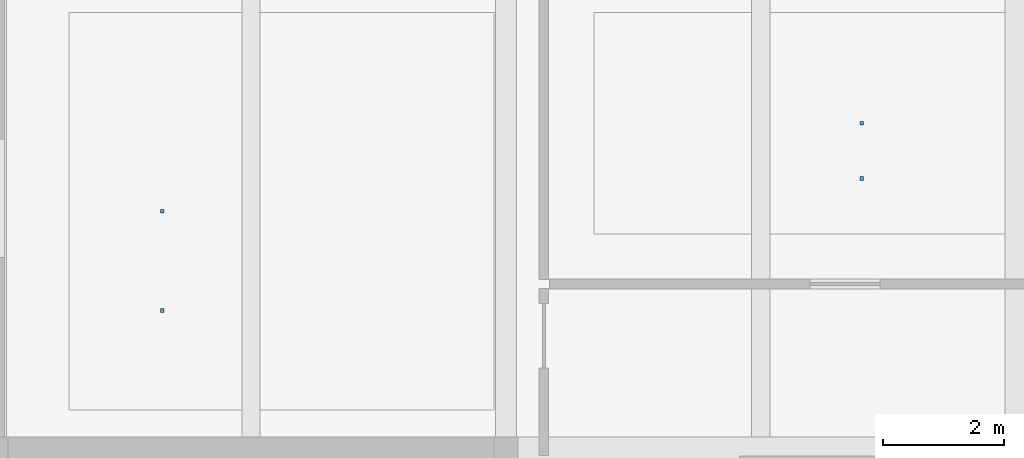
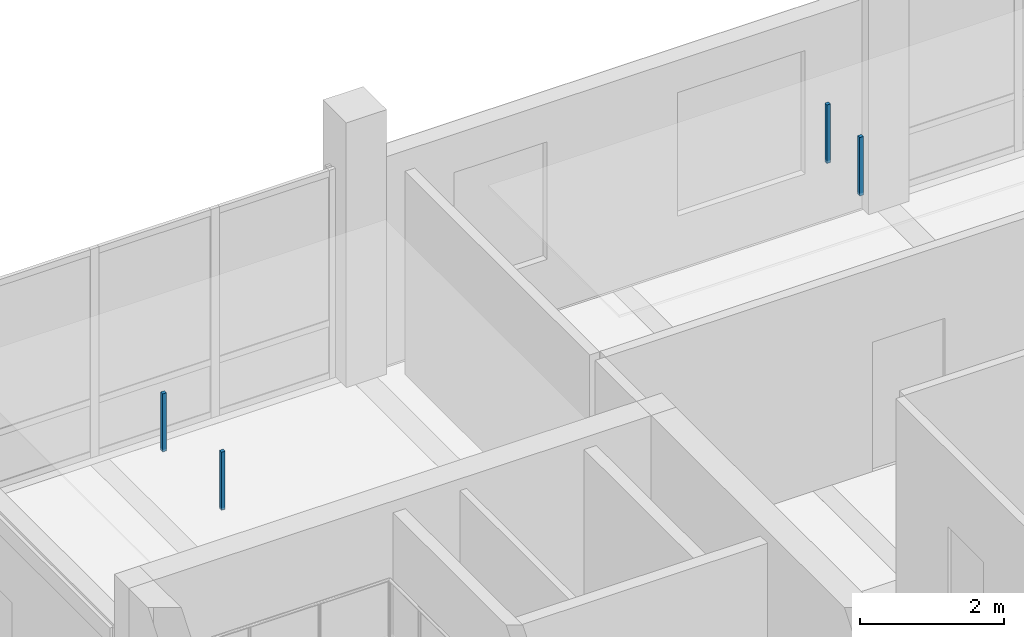
# One storey, part 13 of 28: 4 discrete accessories.
"""IFC4 building model written with IfcOpenShell, lengths in metres."""

from ifc_helpers import new_model, si_unit, direction, frame, origin, origin_2d, place, context, subcontext, project, spatial, rectangle, extrude, material, type_object, element, save


model = new_model("IFC4")

# Units and contexts
model_context = context("Model", 3, precision=1e-05, world=origin(), true_north=direction((0.0, 1.0)))
body_context = subcontext(model_context, "Body", "Model", "MODEL_VIEW")
ifc_project = project(units=[si_unit("LENGTHUNIT", "METRE"), si_unit("AREAUNIT", "SQUARE_METRE"), si_unit("VOLUMEUNIT", "CUBIC_METRE"), si_unit("PLANEANGLEUNIT", "RADIAN"), si_unit("MASSUNIT", "GRAM", prefix="KILO")], contexts=[model_context])

# Site, building, storey
site_placement = place(None, origin())
site = spatial("IfcSite", under=ifc_project, at=site_placement, CompositionType="ELEMENT")
building_placement = place(site_placement, origin())
building = spatial("IfcBuilding", under=site, at=building_placement, Name="Telukmera Botanical Conservatory", CompositionType="ELEMENT")
storey_placement = place(building_placement, frame((0.0, 0.0, 51.0)))
storey = spatial("IfcBuildingStorey", under=building, at=storey_placement, Name="L11", CompositionType="ELEMENT", Elevation=51.0)

# Discrete accessories
ifc_material = material(Name="Steel S355", Category="steel")
discrete_accessory_type = type_object("IfcDiscreteAccessoryType", Name="ACC-CEIL-HGR", PredefinedType="BRACKET", material=ifc_material)
for number, where, z_axis, x_axis, name in (
    (1, (61.5400390625, 36.6875, 3.31982421875), (0.0, 0.0, 1.0), (1.0, 0.0, 0.0), "L11 Suspended Ceiling Hanger Rod 025-1"),
    (2, (61.5400390625, 38.324951171875, 3.31982421875), (0.0, 0.0, 1.0), (1.0, 0.0, 0.0), "L11 Suspended Ceiling Hanger Rod 025-2"),
):
    element("IfcDiscreteAccessory", number, at=place(storey_placement, frame(where, z_axis=z_axis, x_axis=x_axis)), inside=storey, type_object=discrete_accessory_type, Name=name, PredefinedType="BRACKET", context=body_context, shape_type="SweptSolid", body=[
        extrude(rectangle(XDim=0.06005859375, YDim=0.06005859375, at=origin_2d()), origin(), (0.0, 0.0, 1.0), 0.985107421875),
    ])
for number, where, z_axis, x_axis, name in (
    (3, (73.06005859375, 38.862548828125, 3.31005859375), (0.0, 0.0, 1.0), (1.0, 0.0, 0.0), "L11 Suspended Ceiling Hanger Rod 026-1"),
    (4, (73.06005859375, 39.77490234375, 3.31005859375), (0.0, 0.0, 1.0), (1.0, 0.0, 0.0), "L11 Suspended Ceiling Hanger Rod 026-2"),
):
    element("IfcDiscreteAccessory", number, at=place(storey_placement, frame(where, z_axis=z_axis, x_axis=x_axis)), inside=storey, type_object=discrete_accessory_type, Name=name, PredefinedType="BRACKET", context=body_context, shape_type="SweptSolid", body=[
        extrude(rectangle(XDim=0.06005859375, YDim=0.06005859375, at=origin_2d()), origin(), (0.0, 0.0, 1.0), 0.9951171875),
    ])

save(model, "model.ifc")
